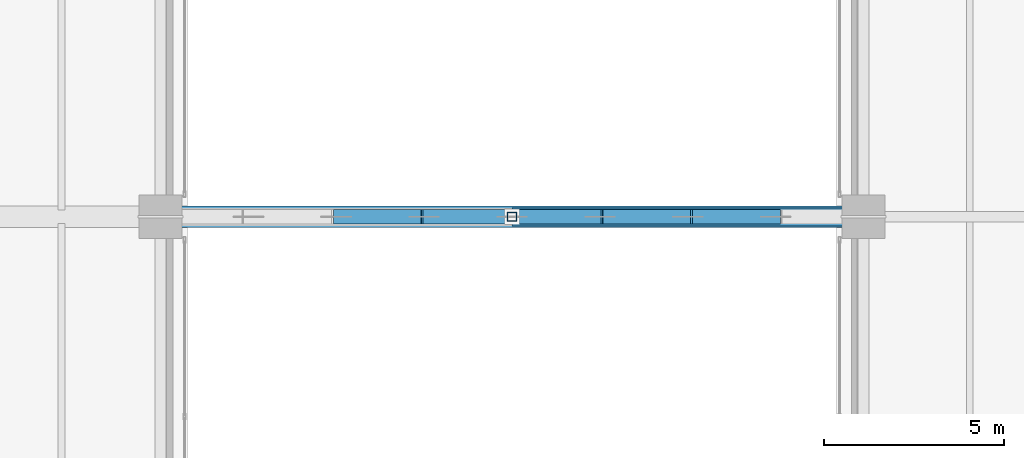
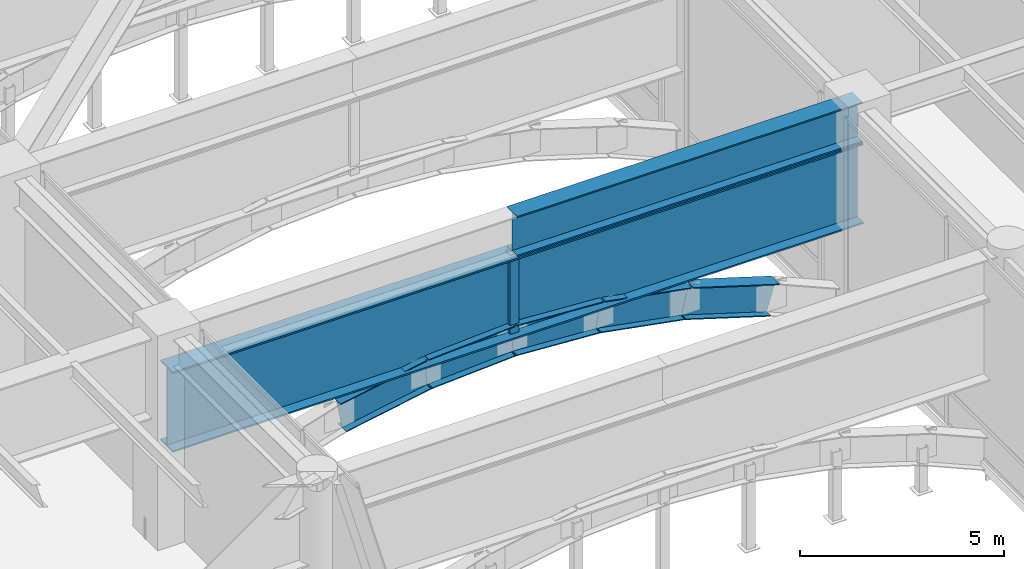
# One storey, part 19 of 50: 7 beams, 1 member.
"""IFC4 building model written with IfcOpenShell, lengths in metres."""

from ifc_helpers import new_model, si_unit, direction, frame, origin, origin_2d, place, context, subcontext, project, spatial, hollow_rectangle, i_section, extrude, source, transform, mapped, material, material_profile, profile_set, type_object, type_shapes, element, save


model = new_model("IFC4")

# Units and contexts
model_context = context("Model", 3, precision=1e-05, world=origin(), true_north=direction((0.0, 1.0)))
body_context = subcontext(model_context, "Body", "Model", "MODEL_VIEW")
ifc_project = project(units=[si_unit("LENGTHUNIT", "METRE"), si_unit("AREAUNIT", "SQUARE_METRE"), si_unit("VOLUMEUNIT", "CUBIC_METRE"), si_unit("PLANEANGLEUNIT", "RADIAN"), si_unit("MASSUNIT", "GRAM", prefix="KILO")], contexts=[model_context])

# Site, building, storey
site_placement = place(None, origin())
site = spatial("IfcSite", under=ifc_project, at=site_placement, CompositionType="ELEMENT")
building_placement = place(site_placement, origin())
building = spatial("IfcBuilding", under=site, at=building_placement, Name="Tolvann Quenvar Hotel", CompositionType="ELEMENT")
storey_placement = place(building_placement, frame((0.0, 0.0, 16.0)))
storey = spatial("IfcBuildingStorey", under=building, at=storey_placement, Name="L03", CompositionType="ELEMENT", Elevation=16.0)

# Beams
ifc_material_1 = material(Name="Steel Grade 350", Category="steel")
ifc_material_profile_1 = material_profile(ifc_material_1, i_section(OverallWidth=0.5, OverallDepth=1.199951171875, WebThickness=0.01611328125, FlangeThickness=0.0400390625, at=origin_2d()), Name="1200WB455")
ifc_profile_set_1 = profile_set([ifc_material_profile_1], Name="Steel Grade 350")
beam_type_1 = type_object("IfcBeamType", Name="BM_TG_1200WB455", PredefinedType="USERDEFINED", material=ifc_profile_set_1)
shared_shape_1 = source(origin(), body_context, "Body", "SweptSolid", [
    extrude(i_section(OverallWidth=0.5, OverallDepth=1.199951171875, WebThickness=0.01611328125, FlangeThickness=0.0400390625, at=origin_2d()), origin(), (0.0, 0.0, 1.0), 9.75),
])
type_shapes(beam_type_1, [shared_shape_1])
beam_1_placement = place(storey_placement, frame((28.5, 8.199951171875, 5.5400390625), z_axis=(1.0, 0.0, 0.0), x_axis=(0.0, 1.0, 0.0)))
element("IfcBeam", 1, at=beam_1_placement, inside=storey, type_object=beam_type_1, Name="TG-AUTO2-L03-PARCH2-2", ObjectType="TRANSFER GIRDER", PredefinedType="USERDEFINED", context=body_context, shape_type="MappedRepresentation", body=[
    mapped(shared_shape_1, transform((0.0, 0.0, 0.0), x_axis=(1.0, 0.0, 0.0), y_axis=(0.0, 1.0, 0.0), z_axis=(0.0, 0.0, 1.0), scale=1.0)),
])
ifc_material_profile_2 = material_profile(ifc_material_1, i_section(OverallWidth=0.60009765625, OverallDepth=2.39990234375, WebThickness=0.02001953125, FlangeThickness=0.044921875, at=origin_2d()), Name="2400WB655")
ifc_profile_set_2 = profile_set([ifc_material_profile_2], Name="Steel Grade 350")
beam_type_2 = type_object("IfcBeamType", Name="BM_TG_2400WB655", PredefinedType="USERDEFINED", material=ifc_profile_set_2)
shared_shape_2 = source(origin(), body_context, "Body", "SweptSolid", [
    extrude(i_section(OverallWidth=0.60009765625, OverallDepth=2.39990234375, WebThickness=0.02001953125, FlangeThickness=0.044921875, at=origin_2d()), origin(), (0.0, 0.0, 1.0), 19.5),
])
type_shapes(beam_type_2, [shared_shape_2])
beam_2_placement = place(storey_placement, frame((18.75, 8.199951171875, 3.739990234375), z_axis=(1.0, 0.0, 0.0), x_axis=(0.0, 1.0, 0.0)))
element("IfcBeam", 2, at=beam_2_placement, inside=storey, type_object=beam_type_2, Name="BM-L03-ACAR-2", ObjectType="TRANSFER GIRDER", PredefinedType="USERDEFINED", context=body_context, shape_type="MappedRepresentation", body=[
    mapped(shared_shape_2, transform((0.0, 0.0, 0.0), x_axis=(1.0, 0.0, 0.0), y_axis=(0.0, 1.0, 0.0), z_axis=(0.0, 0.0, 1.0), scale=1.0)),
])
ifc_material_profile_3 = material_profile(ifc_material_1, i_section(OverallWidth=0.39990234375, OverallDepth=0.916015625, WebThickness=0.011962890625, FlangeThickness=0.028076171875, at=origin_2d()), Name="900WB257")
ifc_profile_set_3 = profile_set([ifc_material_profile_3], Name="Steel Grade 350")
beam_type_3 = type_object("IfcBeamType", Name="BM_ARCH_900WB257", PredefinedType="USERDEFINED", material=ifc_profile_set_3)
shared_shape_3 = source(origin(), body_context, "Body", "SweptSolid", [
    extrude(i_section(OverallWidth=0.39990234375, OverallDepth=0.916015625, WebThickness=0.011962890625, FlangeThickness=0.028076171875, at=origin_2d()), origin(), (0.0, 0.0, 1.0), 2.55029296875),
])
beam_3_placement = place(storey_placement, frame((33.375, 8.199951171875, 1.800048828125), z_axis=(0.955779008722, 0.0, -0.294085848838), x_axis=(0.0, 1.0, 0.0)))
element("IfcBeam", 3, at=beam_3_placement, inside=storey, type_object=beam_type_3, Name="Podium Parabolic Arch Rib F2-S7", ObjectType="ARCH RIB", PredefinedType="USERDEFINED", context=body_context, shape_type="MappedRepresentation", body=[
    mapped(shared_shape_3, transform((0.0, 0.0, 0.0), x_axis=(1.0, 0.0, 0.0), y_axis=(0.0, 1.0, 0.0), z_axis=(0.0, 0.0, 1.0), scale=1.0)),
])
shared_shape_4 = source(origin(), body_context, "Body", "SweptSolid", [
    extrude(i_section(OverallWidth=0.39990234375, OverallDepth=0.916015625, WebThickness=0.011962890625, FlangeThickness=0.028076171875, at=origin_2d()), origin(), (0.0, 0.0, 1.0), 2.478759765625),
])
for number, where, z_axis, x_axis, name in (
    (4, (23.625, 8.199951171875, 1.800048828125), (0.983385697118, 0.0, 0.181528429466), (0.0, 1.0, 0.0), "Podium Parabolic Arch Rib F2-S3"),
    (5, (30.9375, 8.199951171875, 2.25), (0.983385697118, 0.0, -0.181528429466), (0.0, 1.0, 0.0), "Podium Parabolic Arch Rib F2-S6"),
):
    element("IfcBeam", number, at=place(storey_placement, frame(where, z_axis=z_axis, x_axis=x_axis)), inside=storey, type_object=beam_type_3, Name=name, ObjectType="ARCH RIB", PredefinedType="USERDEFINED", context=body_context, shape_type="MappedRepresentation", body=[
        mapped(shared_shape_4, transform((0.0, 0.0, 0.0), x_axis=(1.0, 0.0, 0.0), y_axis=(0.0, 1.0, 0.0), z_axis=(0.0, 0.0, 1.0), scale=1.0)),
    ])
shared_shape_5 = source(origin(), body_context, "Body", "SweptSolid", [
    extrude(i_section(OverallWidth=0.39990234375, OverallDepth=0.916015625, WebThickness=0.011962890625, FlangeThickness=0.028076171875, at=origin_2d()), origin(), (0.0, 0.0, 1.0), 2.442138671875),
])
type_shapes(beam_type_3, [shared_shape_3, shared_shape_4, shared_shape_5])
for number, where, z_axis, x_axis, name in (
    (6, (26.0625, 8.199951171875, 2.25), (0.998114320678, 0.0, 0.06138243118), (0.0, 1.0, 0.0), "Podium Parabolic Arch Rib F2-S4"),
    (7, (28.5, 8.199951171875, 2.39990234375), (0.998114320678, 0.0, -0.06138243118), (0.0, 1.0, 0.0), "Podium Parabolic Arch Rib F2-S5"),
):
    element("IfcBeam", number, at=place(storey_placement, frame(where, z_axis=z_axis, x_axis=x_axis)), inside=storey, type_object=beam_type_3, Name=name, ObjectType="ARCH RIB", PredefinedType="USERDEFINED", context=body_context, shape_type="MappedRepresentation", body=[
        mapped(shared_shape_5, transform((0.0, 0.0, 0.0), x_axis=(1.0, 0.0, 0.0), y_axis=(0.0, 1.0, 0.0), z_axis=(0.0, 0.0, 1.0), scale=1.0)),
    ])

# Member
ifc_material_2 = material(Name="Steel Grade 450 (C450L0)", Category="steel")
ifc_material_profile_4 = material_profile(ifc_material_2, hollow_rectangle(XDim=0.25, YDim=0.25, WallThickness=0.010009765625, at=origin_2d()), Name="250x250x10SHS")
ifc_profile_set_4 = profile_set([ifc_material_profile_4], Name="Steel Grade 450 (C450L0)")
member_type = type_object("IfcMemberType", Name="MEM_POST_250SHS", PredefinedType="POST", material=ifc_profile_set_4)
shared_shape_6 = source(origin(), body_context, "Body", "SweptSolid", [
    extrude(hollow_rectangle(XDim=0.25, YDim=0.25, WallThickness=0.010009765625, at=origin_2d()), origin(), (0.0, 0.0, 1.0), 2.5400390625),
])
type_shapes(member_type, [shared_shape_6])
member_placement = place(storey_placement, frame((28.5, 8.199951171875, 2.39990234375), z_axis=(0.0, 0.0, 1.0), x_axis=(1.0, 0.0, 0.0)))
element("IfcMember", 8, at=member_placement, inside=storey, type_object=member_type, Name="Arch Crown Spandrel Post F2", PredefinedType="POST", context=body_context, shape_type="MappedRepresentation", body=[
    mapped(shared_shape_6, transform((0.0, 0.0, 0.0), x_axis=(1.0, 0.0, 0.0), y_axis=(0.0, 1.0, 0.0), z_axis=(0.0, 0.0, 1.0), scale=1.0)),
])

save(model, "model.ifc")
